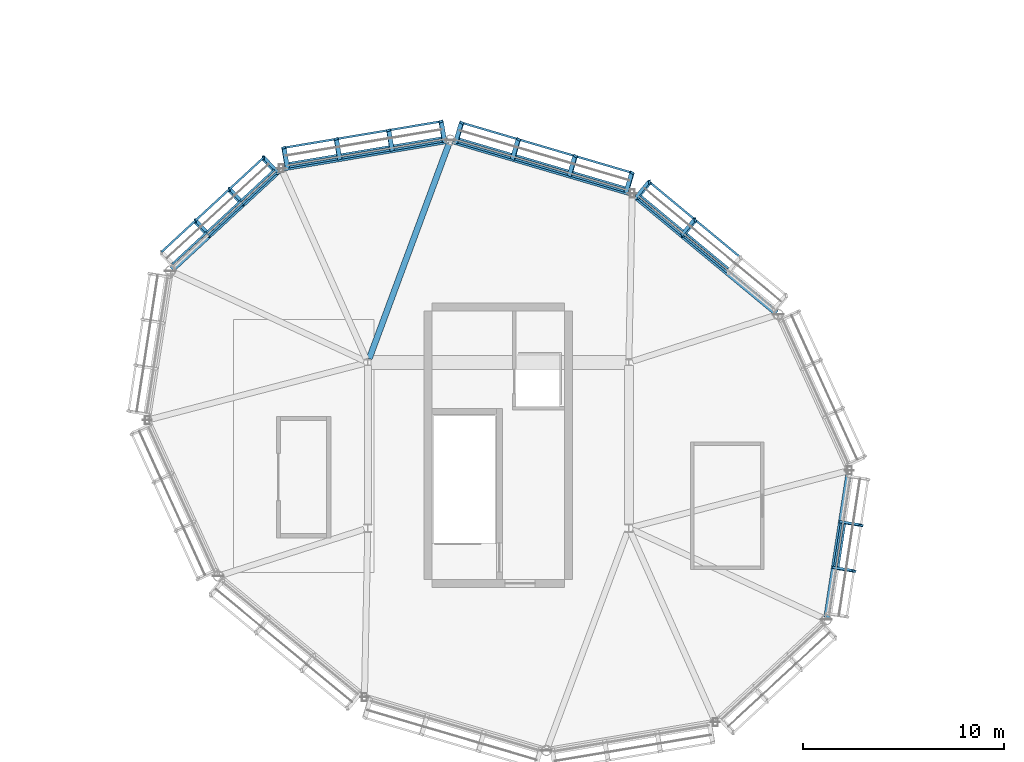
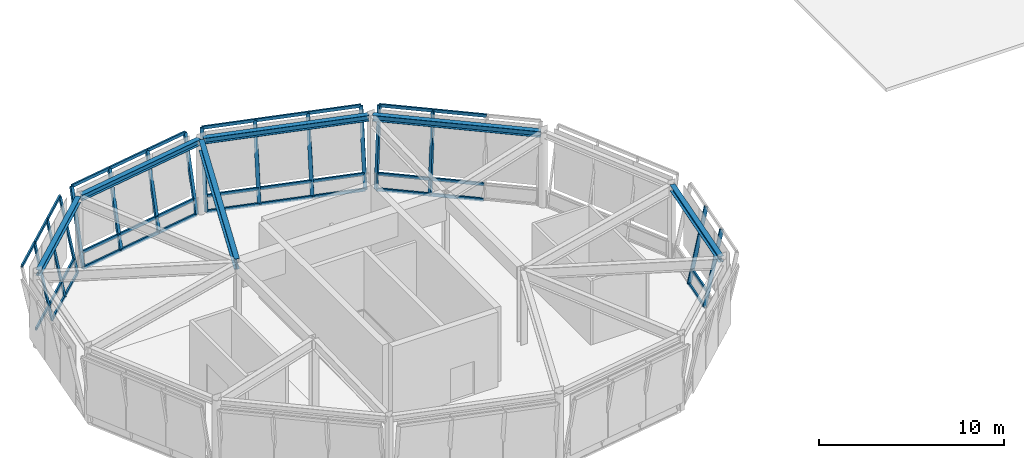
# One storey, part 56 of 113: 49 members, 6 beams, 5 elements without a shape of their own.
"""IFC4 building model written with IfcOpenShell, lengths in metres."""

import ifcopenshell
import ifcopenshell.guid

model = None  # the IFC model being written
_history = None  # IfcOwnerHistory: only IFC2X3 demands one
_inside = {}  # id of a spatial element -> (the spatial element, [elements in it])
_under = {}  # id of a project, library or spatial element -> (it, [spatial elements below it])
_declared = {}  # id of a project -> (the project, [libraries it declares])
_typed = {}  # id of a type object -> (the type object, [elements of that type])
_made_of = {}  # id of a material, layer set ... -> (it, [elements and type objects made of it])


def new_model(schema):
    """Start an empty IFC model of exactly this schema.

    Asked for "IFC4X3", IfcOpenShell would pick the latest addendum, in which some entities
    have other attributes; the version numbers below select the first issue.
    IFC2X3 requires an IfcOwnerHistory on every rooted entity: one is made here for all.
    """
    global model, _history
    if schema == "IFC4X3":
        model = ifcopenshell.file(schema_version=(4, 3, 0, 0))
    else:
        model = ifcopenshell.file(schema=schema)
    _inside.clear()
    _under.clear()
    _declared.clear()
    _typed.clear()
    _made_of.clear()
    _history = None
    if model.schema == "IFC2X3":
        org = make("IfcOrganization", Name="unknown")
        user = make(
            "IfcPersonAndOrganization",
            ThePerson=make("IfcPerson", FamilyName="unknown"),
            TheOrganization=org,
        )
        app = make(
            "IfcApplication",
            ApplicationDeveloper=org,
            Version="unknown",
            ApplicationFullName="unknown",
            ApplicationIdentifier="unknown",
        )
        _history = make(
            "IfcOwnerHistory",
            OwningUser=user,
            OwningApplication=app,
            ChangeAction="ADDED",
            CreationDate=0,
        )
    return model


def make(cls, **values):
    """One entity of the class cls with the attributes given. An attribute that is None is left unset."""
    return model.create_entity(
        cls, **{name: value for name, value in values.items() if value is not None}
    )


def rooted(cls, **values):
    """An entity with a GlobalId (a new one), such as an element, a storey or a relation."""
    return make(cls, GlobalId=ifcopenshell.guid.new(), OwnerHistory=_history, **values)


def si_unit(unit_type, name, prefix=None):
    """IfcSIUnit, for example si_unit("LENGTHUNIT", "METRE", prefix="MILLI")."""
    return make("IfcSIUnit", UnitType=unit_type, Prefix=prefix, Name=name)


def assignment(units):
    """IfcUnitAssignment: the units of a project."""
    return None if units is None else make("IfcUnitAssignment", Units=units)


def point(xyz):
    """IfcCartesianPoint."""
    return None if xyz is None else make("IfcCartesianPoint", Coordinates=xyz)


def direction(xyz):
    """IfcDirection."""
    return None if xyz is None else make("IfcDirection", DirectionRatios=xyz)


def frame(location, z_axis=None, x_axis=None):
    """IfcAxis2Placement3D, a coordinate frame: its origin and axes. An axis left out is left unset."""
    return make(
        "IfcAxis2Placement3D",
        Location=point(location),
        Axis=direction(z_axis),
        RefDirection=direction(x_axis),
    )


def frame_2d(location, x_axis=None):
    """IfcAxis2Placement2D, a coordinate frame in the plane: its origin and x axis."""
    return make(
        "IfcAxis2Placement2D", Location=point(location), RefDirection=direction(x_axis)
    )


def origin():
    """The frame at (0, 0, 0) with its axes left unset."""
    return frame((0.0, 0.0, 0.0))


def origin_2d():
    """The frame at (0, 0) in the plane with its x axis left unset."""
    return frame_2d((0.0, 0.0))


def place(relative_to, where):
    """IfcLocalPlacement: puts the frame where relative to a parent placement (None: the world)."""
    return make(
        "IfcLocalPlacement", PlacementRelTo=relative_to, RelativePlacement=where
    )


def context(
    kind, dimensions, precision=None, world=None, true_north=None, identifier=None
):
    """IfcGeometricRepresentationContext, for example the 3D "Model" context."""
    return make(
        "IfcGeometricRepresentationContext",
        ContextIdentifier=identifier,
        ContextType=kind,
        CoordinateSpaceDimension=dimensions,
        Precision=precision,
        WorldCoordinateSystem=world,
        TrueNorth=true_north,
    )


def subcontext(parent, identifier, kind, view, scale=None):
    """IfcGeometricRepresentationSubContext, for example "Body" below "Model"."""
    return make(
        "IfcGeometricRepresentationSubContext",
        ContextIdentifier=identifier,
        ContextType=kind,
        ParentContext=parent,
        TargetScale=scale,
        TargetView=view,
    )


def project(units=None, contexts=None):
    """IfcProject with its units and contexts."""
    return rooted(
        "IfcProject",
        Name="project",
        RepresentationContexts=contexts,
        UnitsInContext=assignment(units),
    )


def spatial(cls, under=None, at=None, **own):
    """A site, building, storey or space (cls), placed at a placement, below another one or the project."""
    s = rooted(cls, ObjectPlacement=at, **own)
    if under is not None:
        _under.setdefault(under.id(), (under, []))[1].append(s)
    return s


def profile(cls, at=None, kind="AREA", **sizes):
    """A parametric profile (cls). Its sizes go by their IFC names, for example OverallWidth=200.0."""
    return make(cls, ProfileType=kind, Position=at, **sizes)


def hollow_rectangle(**sizes):
    """IfcRectangleHollowProfileDef."""
    return profile("IfcRectangleHollowProfileDef", **sizes)


def i_section(**sizes):
    """IfcIShapeProfileDef."""
    return profile("IfcIShapeProfileDef", **sizes)


def extrude(swept, where, along, depth):
    """IfcExtrudedAreaSolid: the profile swept, set in the frame where, extruded along a direction by depth."""
    return make(
        "IfcExtrudedAreaSolid",
        SweptArea=swept,
        Position=where,
        ExtrudedDirection=direction(along),
        Depth=depth,
    )


def shape(context_of_items, identifier, shape_type, items):
    """IfcShapeRepresentation: the items that make up one representation, for example the "Body"."""
    return make(
        "IfcShapeRepresentation",
        ContextOfItems=context_of_items,
        RepresentationIdentifier=identifier,
        RepresentationType=shape_type,
        Items=items,
    )


def material(Name=None, Category=None):
    """IfcMaterial."""
    return make("IfcMaterial", Name=Name, Category=Category)


def material_profile(
    of_material, cross_section, Name=None, Category=None, Priority=None
):
    """IfcMaterialProfile: a cross section and its material."""
    return make(
        "IfcMaterialProfile",
        Name=Name,
        Material=of_material,
        Profile=cross_section,
        Priority=Priority,
        Category=Category,
    )


def profile_set(profiles, Name=None, composite=None):
    """IfcMaterialProfileSet."""
    return make(
        "IfcMaterialProfileSet",
        Name=Name,
        MaterialProfiles=profiles,
        CompositeProfile=composite,
    )


def made_of(thing, what):
    """Note that an element or type object is made of a material, layer set ...; save() writes the relation."""
    if what is not None:
        _made_of.setdefault(what.id(), (what, []))[1].append(thing)
    return thing


def type_object(cls, material=None, **own):
    """A type object (cls), such as IfcWallType, which elements share."""
    return made_of(rooted(cls, **own), material)


def element(
    cls,
    number,
    at=None,
    inside=None,
    cuts=None,
    type_object=None,
    material=None,
    context=None,
    identifier="Body",
    shape_type=None,
    held_by="IfcProductDefinitionShape",
    body=None,
    shapes=None,
    **own,
):
    """One element of the class cls, such as IfcWall. Its Tag is "e" and its number.

    at: its placement. inside: the storey or other place that contains it. cuts: it is an
    opening in that element (IfcRelVoidsElement). A single representation is given by context,
    identifier, shape_type and body (its items); several are given by shapes. held_by: the class
    of the entity that holds the representations. save() writes the other relations.
    """
    e = rooted(cls, Tag="e%d" % number, ObjectPlacement=at, **own)
    if body is not None:
        shapes = [shape(context, identifier, shape_type, body)]
    if shapes is not None:
        e.Representation = make(held_by, Representations=shapes)
    if inside is not None:
        _inside.setdefault(inside.id(), (inside, []))[1].append(e)
    if cuts is not None:
        rooted(
            "IfcRelVoidsElement", RelatingBuildingElement=cuts, RelatedOpeningElement=e
        )
    if type_object is not None:
        _typed.setdefault(type_object.id(), (type_object, []))[1].append(e)
    return made_of(e, material)


def aggregate(whole, parts):
    """IfcRelAggregates: a whole, such as a stair, and the parts it consists of."""
    return rooted("IfcRelAggregates", RelatingObject=whole, RelatedObjects=parts)


def save(model, path):
    """Write the relations noted so far, then the file.

    IfcRelAggregates (storeys below a building ...), IfcRelContainedInSpatialStructure (elements
    in a storey), IfcRelDefinesByType, IfcRelAssociatesMaterial and IfcRelDeclares: one each for
    every whole, place, type object, material and project.
    """
    for whole, parts in _under.values():
        aggregate(whole, parts)
    for where, things in _inside.values():
        rooted(
            "IfcRelContainedInSpatialStructure",
            RelatedElements=things,
            RelatingStructure=where,
        )
    for kind, things in _typed.values():
        rooted("IfcRelDefinesByType", RelatedObjects=things, RelatingType=kind)
    for what, things in _made_of.values():
        rooted("IfcRelAssociatesMaterial", RelatedObjects=things, RelatingMaterial=what)
    for by, libraries in _declared.values():
        rooted("IfcRelDeclares", RelatingContext=by, RelatedDefinitions=libraries)
    model.write(path)


model = new_model("IFC4")

# Units and contexts
model_context = context("Model", 3, precision=1e-05, world=origin(), true_north=direction((0.0, 1.0)))
body_context = subcontext(model_context, "Body", "Model", "MODEL_VIEW")
ifc_project = project(units=[si_unit("LENGTHUNIT", "METRE"), si_unit("AREAUNIT", "SQUARE_METRE"), si_unit("VOLUMEUNIT", "CUBIC_METRE"), si_unit("PLANEANGLEUNIT", "RADIAN"), si_unit("MASSUNIT", "GRAM", prefix="KILO")], contexts=[model_context])

# Site, building, storey
site_placement = place(None, origin())
site = spatial("IfcSite", under=ifc_project, at=site_placement, CompositionType="ELEMENT")
building_placement = place(site_placement, origin())
building = spatial("IfcBuilding", under=site, at=building_placement, Name="Linyun Crest Stadium", CompositionType="ELEMENT")
storey_placement = place(building_placement, frame((0.0, 0.0, 26.39990234375)))
storey = spatial("IfcBuildingStorey", under=building, at=storey_placement, Name="L06", CompositionType="ELEMENT", Elevation=26.39990234375)

# Beams
ifc_material_1 = material(Name="Steel Q355C", Category="steel")
ifc_material_profile_1 = material_profile(ifc_material_1, i_section(OverallWidth=0.300048828125, OverallDepth=0.389892578125, WebThickness=0.010009765625, FlangeThickness=0.01611328125, at=origin_2d()), Name="HM 390x300")
ifc_profile_set_1 = profile_set([ifc_material_profile_1], Name="Steel Q355C")
beam_type_1 = type_object("IfcBeamType", Name="B06", PredefinedType="BEAM", material=ifc_profile_set_1)
beam_1_placement = place(storey_placement, frame((-57.14697265625, 76.05908203125, 4.75), z_axis=(0.152213453027, 0.988347643655, 0.0), x_axis=(-0.988347643655, 0.152213453027, 0.0)))
element("IfcBeam", 1, at=beam_1_placement, inside=storey, type_object=beam_type_1, Name="Pod ring girder B06 L06 73", PredefinedType="BEAM", context=body_context, shape_type="SweptSolid", body=[
    extrude(i_section(OverallWidth=0.300048828125, OverallDepth=0.389892578125, WebThickness=0.010009765625, FlangeThickness=0.01611328125, at=origin_2d()), origin(), (0.0, 0.0, 1.0), 7.278564453125),
])
beam_2_placement = place(storey_placement, frame((-59.65087890625, 91.217041015625, 4.75), z_axis=(-0.770371409823, 0.637595397512, 0.0), x_axis=(-0.637595397512, -0.770371409823, 0.0)))
element("IfcBeam", 2, at=beam_2_placement, inside=storey, type_object=beam_type_1, Name="Pod ring girder B06 L06 77", PredefinedType="BEAM", context=body_context, shape_type="SweptSolid", body=[
    extrude(i_section(OverallWidth=0.300048828125, OverallDepth=0.389892578125, WebThickness=0.010009765625, FlangeThickness=0.01611328125, at=origin_2d()), origin(), (0.0, 0.0, 1.0), 9.204833984375),
])
beam_3_placement = place(storey_placement, frame((-66.948974609375, 97.197021484375, 4.75), z_axis=(-0.959427571735, 0.281955199623, 0.0), x_axis=(-0.281955199623, -0.959427571735, 0.0)))
element("IfcBeam", 3, at=beam_3_placement, inside=storey, type_object=beam_type_1, Name="Pod ring girder B06 L06 79", PredefinedType="BEAM", context=body_context, shape_type="SweptSolid", body=[
    extrude(i_section(OverallWidth=0.300048828125, OverallDepth=0.389892578125, WebThickness=0.010009765625, FlangeThickness=0.01611328125, at=origin_2d()), origin(), (0.0, 0.0, 1.0), 9.203369140625),
])
beam_4_placement = place(storey_placement, frame((-76.011962890625, 99.805908203125, 4.75), z_axis=(-0.986275969976, -0.165105151487, 0.0), x_axis=(0.165105151487, -0.986275969976, 0.0)))
element("IfcBeam", 4, at=beam_4_placement, inside=storey, type_object=beam_type_1, Name="Pod ring girder B06 L06 81", PredefinedType="BEAM", context=body_context, shape_type="SweptSolid", body=[
    extrude(i_section(OverallWidth=0.300048828125, OverallDepth=0.389892578125, WebThickness=0.010009765625, FlangeThickness=0.01611328125, at=origin_2d()), origin(), (0.0, 0.0, 1.0), 8.296875),
])
beam_5_placement = place(storey_placement, frame((-84.40087890625, 98.3349609375, 4.75), z_axis=(-0.734193861678, -0.678939889441, 0.0), x_axis=(0.678939889441, -0.734193861678, 0.0)))
element("IfcBeam", 5, at=beam_5_placement, inside=storey, type_object=beam_type_1, Name="Pod ring girder B06 L06 83", PredefinedType="BEAM", context=body_context, shape_type="SweptSolid", body=[
    extrude(i_section(OverallWidth=0.300048828125, OverallDepth=0.389892578125, WebThickness=0.010009765625, FlangeThickness=0.01611328125, at=origin_2d()), origin(), (0.0, 0.0, 1.0), 7.28173828125),
])
ifc_material_2 = material(Name="Steel Q355C", Category="steel")
ifc_material_profile_2 = material_profile(ifc_material_2, i_section(OverallWidth=0.300048828125, OverallDepth=0.699951171875, WebThickness=0.012939453125, FlangeThickness=0.02392578125, at=origin_2d()), Name="HN 700x300")
ifc_profile_set_2 = profile_set([ifc_material_profile_2], Name="Steel Q355C")
beam_type_2 = type_object("IfcBeamType", Name="B12", PredefinedType="BEAM", material=ifc_profile_set_2)
beam_6_placement = place(storey_placement, frame((-79.929931640625, 88.93798828125, 4.59521484375), z_axis=(0.347593524127, 0.937645317796, 0.0), x_axis=(-0.937645317796, 0.347593524127, 0.0)))
element("IfcBeam", 6, at=beam_6_placement, inside=storey, type_object=beam_type_2, Name="Pod radial tie girder B12 L06 82", PredefinedType="BEAM", context=body_context, shape_type="SweptSolid", body=[
    extrude(i_section(OverallWidth=0.300048828125, OverallDepth=0.699951171875, WebThickness=0.012939453125, FlangeThickness=0.02392578125, at=origin_2d()), origin(), (0.0, 0.0, 1.0), 11.392578125),
])

# Curtain wall, members
ifc_material_3 = material(Name="Verdigris steel and low-E curtain wall assembly", Category="steel")
curtain_wall_type = type_object("IfcCurtainWallType", Name="MCW04", PredefinedType="NOTDEFINED", material=ifc_material_3)
curtain_wall_1_placement = place(storey_placement, origin())
curtain_wall_1 = element("IfcCurtainWall", 7, at=curtain_wall_1_placement, inside=storey, type_object=curtain_wall_type, Name="CWR-025", PredefinedType="NOTDEFINED")
ifc_material_4 = material(Name="Verdigris painted steel Q355C pod mullion", Category="steel")
ifc_material_profile_3 = material_profile(ifc_material_4, hollow_rectangle(XDim=0.1201171875, YDim=0.219970703125, WallThickness=0.008056640625, at=origin_2d()), Name="RHS 220x120x8")
ifc_profile_set_3 = profile_set([ifc_material_profile_3], Name="Verdigris painted steel Q355C pod mullion")
member_type_1 = type_object("IfcMemberType", Name="ML04", PredefinedType="MULLION", material=ifc_profile_set_3)
member_1_placement = place(storey_placement, frame((-56.76806640625, 78.51611328125, 0.0), z_axis=(0.197001194284, -0.030273796723, 0.979935725792), x_axis=(-0.297463905344, -0.954251489613, 0.030320283472)))
member_1 = element("IfcMember", 8, at=member_1_placement, type_object=member_type_1, Name="CWR-025 mullion 2", PredefinedType="MULLION", context=body_context, shape_type="SweptSolid", body=[
    extrude(hollow_rectangle(XDim=0.1201171875, YDim=0.219970703125, WallThickness=0.008056640625, at=origin_2d()), origin(), (0.0, 0.0, 1.0), 4.959716796875),
])
member_2_placement = place(storey_placement, frame((-56.41796875, 80.7958984375, 0.0), z_axis=(0.197189560657, -0.030420156886, 0.97989330604), x_axis=(-0.298012512631, -0.954079293793, 0.030351992869)))
member_2 = element("IfcMember", 9, at=member_2_placement, type_object=member_type_1, Name="CWR-025 mullion 3", PredefinedType="MULLION", context=body_context, shape_type="SweptSolid", body=[
    extrude(hollow_rectangle(XDim=0.1201171875, YDim=0.219970703125, WallThickness=0.008056640625, at=origin_2d()), origin(), (0.0, 0.0, 1.0), 4.959716796875),
])

curtain_wall_2_placement = place(storey_placement, origin())
curtain_wall_2 = element("IfcCurtainWall", 10, at=curtain_wall_2_placement, inside=storey, type_object=curtain_wall_type, Name="CWR-027", PredefinedType="NOTDEFINED")
member_3_placement = place(storey_placement, frame((-64.33203125, 95.092041015625, 0.0), z_axis=(0.127247829487, 0.153435777374, 0.979931350714), x_axis=(0.972711180682, 0.173944112656, -0.153546099423)))
member_3 = element("IfcMember", 11, at=member_3_placement, type_object=member_type_1, Name="CWR-027 mullion 3", PredefinedType="MULLION", context=body_context, shape_type="SweptSolid", body=[
    extrude(hollow_rectangle(XDim=0.1201171875, YDim=0.219970703125, WallThickness=0.008056640625, at=origin_2d()), origin(), (0.0, 0.0, 1.0), 4.959716796875),
])
member_4_placement = place(storey_placement, frame((-66.60302734375, 96.971923828125, 0.0), z_axis=(0.12724398281, 0.153628034951, 0.979901727581), x_axis=(0.972586832037, 0.174539399185, -0.153658232063)))
member_4 = element("IfcMember", 12, at=member_4_placement, type_object=member_type_1, Name="CWR-027 mullion 4", PredefinedType="MULLION", context=body_context, shape_type="SweptSolid", body=[
    extrude(hollow_rectangle(XDim=0.1201171875, YDim=0.219970703125, WallThickness=0.008056640625, at=origin_2d()), origin(), (0.0, 0.0, 1.0), 4.959716796875),
])

curtain_wall_3_placement = place(storey_placement, origin())
curtain_wall_3 = element("IfcCurtainWall", 13, at=curtain_wall_3_placement, inside=storey, type_object=curtain_wall_type, Name="CWR-028", PredefinedType="NOTDEFINED")
member_5_placement = place(storey_placement, frame((-67.1220703125, 97.248046875, 0.0), z_axis=(0.056263528028, 0.191335374841, 0.979910807037), x_axis=(0.535777028127, 0.822393680307, -0.1913416074)))
member_5 = element("IfcMember", 14, at=member_5_placement, type_object=member_type_1, Name="CWR-028 mullion 1", PredefinedType="MULLION", context=body_context, shape_type="SweptSolid", body=[
    extrude(hollow_rectangle(XDim=0.1201171875, YDim=0.219970703125, WallThickness=0.008056640625, at=origin_2d()), origin(), (0.0, 0.0, 1.0), 4.959716796875),
])
member_6_placement = place(storey_placement, frame((-69.949951171875, 98.0791015625, 0.0), z_axis=(0.056263528028, 0.191335374841, 0.979910807037), x_axis=(0.535777028127, 0.822393680307, -0.1913416074)))
member_6 = element("IfcMember", 15, at=member_6_placement, type_object=member_type_1, Name="CWR-028 mullion 2", PredefinedType="MULLION", context=body_context, shape_type="SweptSolid", body=[
    extrude(hollow_rectangle(XDim=0.1201171875, YDim=0.219970703125, WallThickness=0.008056640625, at=origin_2d()), origin(), (0.0, 0.0, 1.0), 4.959716796875),
])
member_7_placement = place(storey_placement, frame((-72.778076171875, 98.909912109375, 0.0), z_axis=(0.056263528028, 0.191335374841, 0.979910807037), x_axis=(0.535777028127, 0.822393680307, -0.1913416074)))
member_7 = element("IfcMember", 16, at=member_7_placement, type_object=member_type_1, Name="CWR-028 mullion 3", PredefinedType="MULLION", context=body_context, shape_type="SweptSolid", body=[
    extrude(hollow_rectangle(XDim=0.1201171875, YDim=0.219970703125, WallThickness=0.008056640625, at=origin_2d()), origin(), (0.0, 0.0, 1.0), 4.959716796875),
])
member_8_placement = place(storey_placement, frame((-75.60595703125, 99.740966796875, 0.0), z_axis=(0.056263528028, 0.191335374841, 0.979910807037), x_axis=(0.535777028127, 0.822393680307, -0.1913416074)))
member_8 = element("IfcMember", 17, at=member_8_placement, type_object=member_type_1, Name="CWR-028 mullion 4", PredefinedType="MULLION", context=body_context, shape_type="SweptSolid", body=[
    extrude(hollow_rectangle(XDim=0.1201171875, YDim=0.219970703125, WallThickness=0.008056640625, at=origin_2d()), origin(), (0.0, 0.0, 1.0), 4.959716796875),
])

curtain_wall_4_placement = place(storey_placement, origin())
curtain_wall_4 = element("IfcCurtainWall", 18, at=curtain_wall_4_placement, inside=storey, type_object=curtain_wall_type, Name="CWR-029", PredefinedType="NOTDEFINED")
member_9_placement = place(storey_placement, frame((-76.18994140625, 99.77587890625, 0.0), z_axis=(-0.032882597472, 0.196606428596, 0.979930939923), x_axis=(-0.322218598261, 0.926024967951, -0.196603493527)))
member_9 = element("IfcMember", 19, at=member_9_placement, type_object=member_type_1, Name="CWR-029 mullion 1", PredefinedType="MULLION", context=body_context, shape_type="SweptSolid", body=[
    extrude(hollow_rectangle(XDim=0.1201171875, YDim=0.219970703125, WallThickness=0.008056640625, at=origin_2d()), origin(), (0.0, 0.0, 1.0), 4.959716796875),
])
member_10_placement = place(storey_placement, frame((-78.799072265625, 99.339111328125, 0.0), z_axis=(-0.032832471524, 0.196748708666, 0.979904063902), x_axis=(-0.321875734565, 0.926116536999, -0.19673375764)))
member_10 = element("IfcMember", 20, at=member_10_placement, type_object=member_type_1, Name="CWR-029 mullion 2", PredefinedType="MULLION", context=body_context, shape_type="SweptSolid", body=[
    extrude(hollow_rectangle(XDim=0.1201171875, YDim=0.219970703125, WallThickness=0.008056640625, at=origin_2d()), origin(), (0.0, 0.0, 1.0), 4.959716796875),
])
member_11_placement = place(storey_placement, frame((-81.407958984375, 98.903076171875, 0.0), z_axis=(-0.032882915676, 0.196559105228, 0.979940422683), x_axis=(-0.322257872958, 0.926021062596, -0.196557510528)))
member_11 = element("IfcMember", 21, at=member_11_placement, type_object=member_type_1, Name="CWR-029 mullion 3", PredefinedType="MULLION", context=body_context, shape_type="SweptSolid", body=[
    extrude(hollow_rectangle(XDim=0.1201171875, YDim=0.219970703125, WallThickness=0.008056640625, at=origin_2d()), origin(), (0.0, 0.0, 1.0), 4.959716796875),
])
member_12_placement = place(storey_placement, frame((-84.01708984375, 98.466064453125, 0.0), z_axis=(-0.032833742862, 0.196559423159, 0.979942007721), x_axis=(-0.322032514428, 0.926101088743, -0.196549823403)))
member_12 = element("IfcMember", 22, at=member_12_placement, type_object=member_type_1, Name="CWR-029 mullion 4", PredefinedType="MULLION", context=body_context, shape_type="SweptSolid", body=[
    extrude(hollow_rectangle(XDim=0.1201171875, YDim=0.219970703125, WallThickness=0.008056640625, at=origin_2d()), origin(), (0.0, 0.0, 1.0), 4.95947265625),
])

curtain_wall_5_placement = place(storey_placement, origin())
curtain_wall_5 = element("IfcCurtainWall", 23, at=curtain_wall_5_placement, inside=storey, type_object=curtain_wall_type, Name="CWR-030", PredefinedType="NOTDEFINED")
member_13_placement = place(storey_placement, frame((-84.532958984375, 98.2119140625, 0.0), z_axis=(-0.135320188959, 0.146395868303, 0.979926883091), x_axis=(-0.986910030281, 0.067659651153, -0.146392498909)))
member_13 = element("IfcMember", 24, at=member_13_placement, type_object=member_type_1, Name="CWR-030 mullion 1", PredefinedType="MULLION", context=body_context, shape_type="SweptSolid", body=[
    extrude(hollow_rectangle(XDim=0.1201171875, YDim=0.219970703125, WallThickness=0.008056640625, at=origin_2d()), origin(), (0.0, 0.0, 1.0), 4.959716796875),
])
member_14_placement = place(storey_placement, frame((-86.22705078125, 96.64599609375, 0.0), z_axis=(-0.135271864626, 0.146396843303, 0.979933409427), x_axis=(-0.986900996133, 0.06784214931, -0.146368940042)))
member_14 = element("IfcMember", 25, at=member_14_placement, type_object=member_type_1, Name="CWR-030 mullion 2", PredefinedType="MULLION", context=body_context, shape_type="SweptSolid", body=[
    extrude(hollow_rectangle(XDim=0.1201171875, YDim=0.219970703125, WallThickness=0.008056640625, at=origin_2d()), origin(), (0.0, 0.0, 1.0), 4.959716796875),
])
member_15_placement = place(storey_placement, frame((-87.9208984375, 95.080078125, 0.0), z_axis=(-0.135321163974, 0.146347697524, 0.979933943697), x_axis=(-0.986924878518, 0.067498016121, -0.146367011251)))
member_15 = element("IfcMember", 26, at=member_15_placement, type_object=member_type_1, Name="CWR-030 mullion 3", PredefinedType="MULLION", context=body_context, shape_type="SweptSolid", body=[
    extrude(hollow_rectangle(XDim=0.1201171875, YDim=0.219970703125, WallThickness=0.008056640625, at=origin_2d()), origin(), (0.0, 0.0, 1.0), 4.959716796875),
])

# Member
ifc_material_5 = material(Name="Verdigris painted steel Q355C transom", Category="steel")
ifc_material_profile_4 = material_profile(ifc_material_5, hollow_rectangle(XDim=0.10009765625, YDim=0.199951171875, WallThickness=0.008056640625, at=origin_2d()), Name="RHS 200x100x8")
ifc_profile_set_4 = profile_set([ifc_material_profile_4], Name="Verdigris painted steel Q355C transom")
member_type_2 = type_object("IfcMemberType", Name="TR03", PredefinedType="USERDEFINED", material=ifc_profile_set_4)
member_16_placement = place(storey_placement, frame((-56.76806640625, 78.51611328125, 0.0), z_axis=(0.15178674483, 0.988413265843, 0.0), x_axis=(-0.988413265843, 0.15178674483, 0.0)))
member_16 = element("IfcMember", 27, at=member_16_placement, type_object=member_type_2, Name="CWR-025 transom 2.1", ObjectType="TRANSOM", PredefinedType="USERDEFINED", context=body_context, shape_type="SweptSolid", body=[
    extrude(hollow_rectangle(XDim=0.10009765625, YDim=0.199951171875, WallThickness=0.008056640625, at=origin_2d()), origin(), (0.0, 0.0, 1.0), 2.306396484375),
])

member_17_placement = place(storey_placement, frame((-56.5869140625, 78.488037109375, 0.900146484375), z_axis=(0.151667464216, 0.988431575931, 0.0), x_axis=(-0.988431575931, 0.151667464216, 0.0)))
member_17 = element("IfcMember", 28, at=member_17_placement, type_object=member_type_2, Name="CWR-025 transom 2.2", ObjectType="TRANSOM", PredefinedType="USERDEFINED", context=body_context, shape_type="SweptSolid", body=[
    extrude(hollow_rectangle(XDim=0.10009765625, YDim=0.199951171875, WallThickness=0.008056640625, at=origin_2d()), origin(), (0.0, 0.0, 1.0), 2.306640625),
])

aggregate(curtain_wall_1, [member_1, member_2, member_16, member_17])

member_18_placement = place(storey_placement, frame((-62.06103515625, 93.2109375, 0.0), z_axis=(-0.770118007544, 0.637901445724, 0.0), x_axis=(-0.637901445724, -0.770118007544, 0.0)))
member_18 = element("IfcMember", 29, at=member_18_placement, type_object=member_type_2, Name="CWR-027 transom 2.1", ObjectType="TRANSOM", PredefinedType="USERDEFINED", context=body_context, shape_type="SweptSolid", body=[
    extrude(hollow_rectangle(XDim=0.10009765625, YDim=0.199951171875, WallThickness=0.008056640625, at=origin_2d()), origin(), (0.0, 0.0, 1.0), 2.948974609375),
])

member_19_placement = place(storey_placement, frame((-61.944091796875, 93.35205078125, 0.900146484375), z_axis=(-0.770158679778, 0.63785234025, 0.0), x_axis=(-0.63785234025, -0.770158679778, 0.0)))
member_19 = element("IfcMember", 30, at=member_19_placement, type_object=member_type_2, Name="CWR-027 transom 2.2", ObjectType="TRANSOM", PredefinedType="USERDEFINED", context=body_context, shape_type="SweptSolid", body=[
    extrude(hollow_rectangle(XDim=0.10009765625, YDim=0.199951171875, WallThickness=0.008056640625, at=origin_2d()), origin(), (0.0, 0.0, 1.0), 2.94873046875),
])

member_20_placement = place(storey_placement, frame((-61.429931640625, 93.972900390625, 4.860107421875), z_axis=(-0.770280703464, 0.637704977142, 0.0), x_axis=(-0.637704977142, -0.770280703464, 0.0)))
member_20 = element("IfcMember", 31, at=member_20_placement, type_object=member_type_2, Name="CWR-027 transom 2.3", ObjectType="TRANSOM", PredefinedType="USERDEFINED", context=body_context, shape_type="SweptSolid", body=[
    extrude(hollow_rectangle(XDim=0.10009765625, YDim=0.199951171875, WallThickness=0.008056640625, at=origin_2d()), origin(), (0.0, 0.0, 1.0), 2.9482421875),
])

member_21_placement = place(storey_placement, frame((-64.33203125, 95.092041015625, 0.0), z_axis=(-0.770321380351, 0.63765584054, 0.0), x_axis=(-0.63765584054, -0.770321380351, 0.0)))
member_21 = element("IfcMember", 32, at=member_21_placement, type_object=member_type_2, Name="CWR-027 transom 3.1", ObjectType="TRANSOM", PredefinedType="USERDEFINED", context=body_context, shape_type="SweptSolid", body=[
    extrude(hollow_rectangle(XDim=0.10009765625, YDim=0.199951171875, WallThickness=0.008056640625, at=origin_2d()), origin(), (0.0, 0.0, 1.0), 2.947998046875),
])

member_22_placement = place(storey_placement, frame((-64.215087890625, 95.23291015625, 0.900146484375), z_axis=(-0.770280703464, 0.637704977142, 0.0), x_axis=(-0.637704977142, -0.770280703464, 0.0)))
member_22 = element("IfcMember", 33, at=member_22_placement, type_object=member_type_2, Name="CWR-027 transom 3.2", ObjectType="TRANSOM", PredefinedType="USERDEFINED", context=body_context, shape_type="SweptSolid", body=[
    extrude(hollow_rectangle(XDim=0.10009765625, YDim=0.199951171875, WallThickness=0.008056640625, at=origin_2d()), origin(), (0.0, 0.0, 1.0), 2.9482421875),
])

member_23_placement = place(storey_placement, frame((-63.700927734375, 95.85302734375, 4.860107421875), z_axis=(-0.770158679778, 0.63785234025, 0.0), x_axis=(-0.63785234025, -0.770158679778, 0.0)))
member_23 = element("IfcMember", 34, at=member_23_placement, type_object=member_type_2, Name="CWR-027 transom 3.3", ObjectType="TRANSOM", PredefinedType="USERDEFINED", context=body_context, shape_type="SweptSolid", body=[
    extrude(hollow_rectangle(XDim=0.10009765625, YDim=0.199951171875, WallThickness=0.008056640625, at=origin_2d()), origin(), (0.0, 0.0, 1.0), 2.94873046875),
])

aggregate(curtain_wall_2, [member_3, member_4, member_18, member_19, member_20, member_21, member_22, member_23])

member_24_placement = place(storey_placement, frame((-67.1220703125, 97.248046875, 0.0), z_axis=(-0.959427469513, 0.28195554746, 0.0), x_axis=(-0.28195554746, -0.959427469513, 0.0)))
member_24 = element("IfcMember", 35, at=member_24_placement, type_object=member_type_2, Name="CWR-028 transom 1.1", ObjectType="TRANSOM", PredefinedType="USERDEFINED", context=body_context, shape_type="SweptSolid", body=[
    extrude(hollow_rectangle(XDim=0.10009765625, YDim=0.199951171875, WallThickness=0.008056640625, at=origin_2d()), origin(), (0.0, 0.0, 1.0), 2.947509765625),
])

member_25_placement = place(storey_placement, frame((-67.070068359375, 97.424072265625, 0.900146484375), z_axis=(-0.959449874016, 0.281879299083, 0.0), x_axis=(-0.281879299083, -0.959449874016, 0.0)))
member_25 = element("IfcMember", 36, at=member_25_placement, type_object=member_type_2, Name="CWR-028 transom 1.2", ObjectType="TRANSOM", PredefinedType="USERDEFINED", context=body_context, shape_type="SweptSolid", body=[
    extrude(hollow_rectangle(XDim=0.10009765625, YDim=0.199951171875, WallThickness=0.008056640625, at=origin_2d()), origin(), (0.0, 0.0, 1.0), 2.947509765625),
])

member_26_placement = place(storey_placement, frame((-66.843017578125, 98.197021484375, 4.860107421875), z_axis=(-0.959427469513, 0.28195554746, 0.0), x_axis=(-0.28195554746, -0.959427469513, 0.0)))
member_26 = element("IfcMember", 37, at=member_26_placement, type_object=member_type_2, Name="CWR-028 transom 1.3", ObjectType="TRANSOM", PredefinedType="USERDEFINED", context=body_context, shape_type="SweptSolid", body=[
    extrude(hollow_rectangle(XDim=0.10009765625, YDim=0.199951171875, WallThickness=0.008056640625, at=origin_2d()), origin(), (0.0, 0.0, 1.0), 2.947509765625),
])

member_27_placement = place(storey_placement, frame((-69.949951171875, 98.0791015625, 0.0), z_axis=(-0.959456454772, 0.281856898791, 0.0), x_axis=(-0.281856898791, -0.959456454772, 0.0)))
member_27 = element("IfcMember", 38, at=member_27_placement, type_object=member_type_2, Name="CWR-028 transom 2.1", ObjectType="TRANSOM", PredefinedType="USERDEFINED", context=body_context, shape_type="SweptSolid", body=[
    extrude(hollow_rectangle(XDim=0.10009765625, YDim=0.199951171875, WallThickness=0.008056640625, at=origin_2d()), origin(), (0.0, 0.0, 1.0), 2.94775390625),
])

member_28_placement = place(storey_placement, frame((-69.89794921875, 98.2548828125, 0.900146484375), z_axis=(-0.959434053677, 0.281933142154, 0.0), x_axis=(-0.281933142154, -0.959434053677, 0.0)))
member_28 = element("IfcMember", 39, at=member_28_placement, type_object=member_type_2, Name="CWR-028 transom 2.2", ObjectType="TRANSOM", PredefinedType="USERDEFINED", context=body_context, shape_type="SweptSolid", body=[
    extrude(hollow_rectangle(XDim=0.10009765625, YDim=0.199951171875, WallThickness=0.008056640625, at=origin_2d()), origin(), (0.0, 0.0, 1.0), 2.94775390625),
])

member_29_placement = place(storey_placement, frame((-69.6708984375, 99.028076171875, 4.860107421875), z_axis=(-0.959456454772, 0.281856898791, 0.0), x_axis=(-0.281856898791, -0.959456454772, 0.0)))
member_29 = element("IfcMember", 40, at=member_29_placement, type_object=member_type_2, Name="CWR-028 transom 2.3", ObjectType="TRANSOM", PredefinedType="USERDEFINED", context=body_context, shape_type="SweptSolid", body=[
    extrude(hollow_rectangle(XDim=0.10009765625, YDim=0.199951171875, WallThickness=0.008056640625, at=origin_2d()), origin(), (0.0, 0.0, 1.0), 2.94775390625),
])

member_30_placement = place(storey_placement, frame((-72.778076171875, 98.909912109375, 0.0), z_axis=(-0.959427469513, 0.28195554746, 0.0), x_axis=(-0.28195554746, -0.959427469513, 0.0)))
member_30 = element("IfcMember", 41, at=member_30_placement, type_object=member_type_2, Name="CWR-028 transom 3.1", ObjectType="TRANSOM", PredefinedType="USERDEFINED", context=body_context, shape_type="SweptSolid", body=[
    extrude(hollow_rectangle(XDim=0.10009765625, YDim=0.199951171875, WallThickness=0.008056640625, at=origin_2d()), origin(), (0.0, 0.0, 1.0), 2.947509765625),
])

member_31_placement = place(storey_placement, frame((-72.72607421875, 99.0859375, 0.900146484375), z_axis=(-0.959427469513, 0.28195554746, 0.0), x_axis=(-0.28195554746, -0.959427469513, 0.0)))
member_31 = element("IfcMember", 42, at=member_31_placement, type_object=member_type_2, Name="CWR-028 transom 3.2", ObjectType="TRANSOM", PredefinedType="USERDEFINED", context=body_context, shape_type="SweptSolid", body=[
    extrude(hollow_rectangle(XDim=0.10009765625, YDim=0.199951171875, WallThickness=0.008056640625, at=origin_2d()), origin(), (0.0, 0.0, 1.0), 2.947509765625),
])

member_32_placement = place(storey_placement, frame((-72.4990234375, 99.85888671875, 4.860107421875), z_axis=(-0.959427469513, 0.28195554746, 0.0), x_axis=(-0.28195554746, -0.959427469513, 0.0)))
member_32 = element("IfcMember", 43, at=member_32_placement, type_object=member_type_2, Name="CWR-028 transom 3.3", ObjectType="TRANSOM", PredefinedType="USERDEFINED", context=body_context, shape_type="SweptSolid", body=[
    extrude(hollow_rectangle(XDim=0.10009765625, YDim=0.199951171875, WallThickness=0.008056640625, at=origin_2d()), origin(), (0.0, 0.0, 1.0), 2.947509765625),
])

aggregate(curtain_wall_3, [member_5, member_6, member_7, member_8, member_24, member_25, member_26, member_27, member_28, member_29, member_30, member_31, member_32])

member_33_placement = place(storey_placement, frame((-76.18994140625, 99.77587890625, 0.0), z_axis=(-0.986276442989, -0.165102325864, 0.0), x_axis=(0.165102325864, -0.986276442989, 0.0)))
member_33 = element("IfcMember", 44, at=member_33_placement, type_object=member_type_2, Name="CWR-029 transom 1.1", ObjectType="TRANSOM", PredefinedType="USERDEFINED", context=body_context, shape_type="SweptSolid", body=[
    extrude(hollow_rectangle(XDim=0.10009765625, YDim=0.199951171875, WallThickness=0.008056640625, at=origin_2d()), origin(), (0.0, 0.0, 1.0), 2.6455078125),
])

member_34_placement = place(storey_placement, frame((-76.219970703125, 99.95703125, 0.900146484375), z_axis=(-0.986261411357, -0.165192095661, 0.0), x_axis=(0.165192095661, -0.986261411357, 0.0)))
member_34 = element("IfcMember", 45, at=member_34_placement, type_object=member_type_2, Name="CWR-029 transom 1.2", ObjectType="TRANSOM", PredefinedType="USERDEFINED", context=body_context, shape_type="SweptSolid", body=[
    extrude(hollow_rectangle(XDim=0.10009765625, YDim=0.199951171875, WallThickness=0.008056640625, at=origin_2d()), origin(), (0.0, 0.0, 1.0), 2.6455078125),
])

member_35_placement = place(storey_placement, frame((-76.35302734375, 100.7509765625, 4.860107421875), z_axis=(-0.986318983701, -0.164847997837, 0.0), x_axis=(0.164847997837, -0.986318983701, 0.0)))
member_35 = element("IfcMember", 46, at=member_35_placement, type_object=member_type_2, Name="CWR-029 transom 1.3", ObjectType="TRANSOM", PredefinedType="USERDEFINED", context=body_context, shape_type="SweptSolid", body=[
    extrude(hollow_rectangle(XDim=0.10009765625, YDim=0.199951171875, WallThickness=0.008056640625, at=origin_2d()), origin(), (0.0, 0.0, 1.0), 2.64501953125),
])

member_36_placement = place(storey_placement, frame((-78.799072265625, 99.339111328125, 0.0), z_axis=(-0.986318983701, -0.164847997837, 0.0), x_axis=(0.164847997837, -0.986318983701, 0.0)))
member_36 = element("IfcMember", 47, at=member_36_placement, type_object=member_type_2, Name="CWR-029 transom 2.1", ObjectType="TRANSOM", PredefinedType="USERDEFINED", context=body_context, shape_type="SweptSolid", body=[
    extrude(hollow_rectangle(XDim=0.10009765625, YDim=0.199951171875, WallThickness=0.008056640625, at=origin_2d()), origin(), (0.0, 0.0, 1.0), 2.64501953125),
])

member_37_placement = place(storey_placement, frame((-78.8291015625, 99.52001953125, 0.900146484375), z_axis=(-0.98625889267, -0.165207132499, 0.0), x_axis=(0.165207132499, -0.98625889267, 0.0)))
member_37 = element("IfcMember", 48, at=member_37_placement, type_object=member_type_2, Name="CWR-029 transom 2.2", ObjectType="TRANSOM", PredefinedType="USERDEFINED", context=body_context, shape_type="SweptSolid", body=[
    extrude(hollow_rectangle(XDim=0.10009765625, YDim=0.199951171875, WallThickness=0.008056640625, at=origin_2d()), origin(), (0.0, 0.0, 1.0), 2.645263671875),
])

member_38_placement = place(storey_placement, frame((-78.9619140625, 100.31494140625, 4.860107421875), z_axis=(-0.986261411357, -0.165192095661, 0.0), x_axis=(0.165192095661, -0.986261411357, 0.0)))
member_38 = element("IfcMember", 49, at=member_38_placement, type_object=member_type_2, Name="CWR-029 transom 2.3", ObjectType="TRANSOM", PredefinedType="USERDEFINED", context=body_context, shape_type="SweptSolid", body=[
    extrude(hollow_rectangle(XDim=0.10009765625, YDim=0.199951171875, WallThickness=0.008056640625, at=origin_2d()), origin(), (0.0, 0.0, 1.0), 2.6455078125),
])

member_39_placement = place(storey_placement, frame((-81.407958984375, 98.903076171875, 0.0), z_axis=(-0.986261411357, -0.165192095661, 0.0), x_axis=(0.165192095661, -0.986261411357, 0.0)))
member_39 = element("IfcMember", 50, at=member_39_placement, type_object=member_type_2, Name="CWR-029 transom 3.1", ObjectType="TRANSOM", PredefinedType="USERDEFINED", context=body_context, shape_type="SweptSolid", body=[
    extrude(hollow_rectangle(XDim=0.10009765625, YDim=0.199951171875, WallThickness=0.008056640625, at=origin_2d()), origin(), (0.0, 0.0, 1.0), 2.6455078125),
])

member_40_placement = place(storey_placement, frame((-81.43798828125, 99.0830078125, 0.900146484375), z_axis=(-0.986321491601, -0.164832991859, 0.0), x_axis=(0.164832991859, -0.986321491601, 0.0)))
member_40 = element("IfcMember", 51, at=member_40_placement, type_object=member_type_2, Name="CWR-029 transom 3.2", ObjectType="TRANSOM", PredefinedType="USERDEFINED", context=body_context, shape_type="SweptSolid", body=[
    extrude(hollow_rectangle(XDim=0.10009765625, YDim=0.199951171875, WallThickness=0.008056640625, at=origin_2d()), origin(), (0.0, 0.0, 1.0), 2.645263671875),
])

member_41_placement = place(storey_placement, frame((-81.571044921875, 99.8779296875, 4.860107421875), z_axis=(-0.98625889267, -0.165207132499, 0.0), x_axis=(0.165207132499, -0.98625889267, 0.0)))
member_41 = element("IfcMember", 52, at=member_41_placement, type_object=member_type_2, Name="CWR-029 transom 3.3", ObjectType="TRANSOM", PredefinedType="USERDEFINED", context=body_context, shape_type="SweptSolid", body=[
    extrude(hollow_rectangle(XDim=0.10009765625, YDim=0.199951171875, WallThickness=0.008056640625, at=origin_2d()), origin(), (0.0, 0.0, 1.0), 2.645263671875),
])

aggregate(curtain_wall_4, [member_9, member_10, member_11, member_12, member_33, member_34, member_35, member_36, member_37, member_38, member_39, member_40, member_41])

member_42_placement = place(storey_placement, frame((-84.532958984375, 98.2119140625, 0.0), z_axis=(-0.734340741023, -0.678781022182, 0.0), x_axis=(0.678781022182, -0.734340741023, 0.0)))
member_42 = element("IfcMember", 53, at=member_42_placement, type_object=member_type_2, Name="CWR-030 transom 1.1", ObjectType="TRANSOM", PredefinedType="USERDEFINED", context=body_context, shape_type="SweptSolid", body=[
    extrude(hollow_rectangle(XDim=0.10009765625, YDim=0.199951171875, WallThickness=0.008056640625, at=origin_2d()), origin(), (0.0, 0.0, 1.0), 2.306884765625),
])

member_43_placement = place(storey_placement, frame((-84.656982421875, 98.345947265625, 0.900146484375), z_axis=(-0.734340741023, -0.678781022182, 0.0), x_axis=(0.678781022182, -0.734340741023, 0.0)))
member_43 = element("IfcMember", 54, at=member_43_placement, type_object=member_type_2, Name="CWR-030 transom 1.2", ObjectType="TRANSOM", PredefinedType="USERDEFINED", context=body_context, shape_type="SweptSolid", body=[
    extrude(hollow_rectangle(XDim=0.10009765625, YDim=0.199951171875, WallThickness=0.008056640625, at=origin_2d()), origin(), (0.0, 0.0, 1.0), 2.306884765625),
])

member_44_placement = place(storey_placement, frame((-85.2041015625, 98.93798828125, 4.860107421875), z_axis=(-0.73429197574, -0.678833775208, 0.0), x_axis=(0.678833775208, -0.73429197574, 0.0)))
member_44 = element("IfcMember", 55, at=member_44_placement, type_object=member_type_2, Name="CWR-030 transom 1.3", ObjectType="TRANSOM", PredefinedType="USERDEFINED", context=body_context, shape_type="SweptSolid", body=[
    extrude(hollow_rectangle(XDim=0.10009765625, YDim=0.199951171875, WallThickness=0.008056640625, at=origin_2d()), origin(), (0.0, 0.0, 1.0), 2.306884765625),
])

member_45_placement = place(storey_placement, frame((-86.22705078125, 96.64599609375, 0.0), z_axis=(-0.73429197574, -0.678833775208, 0.0), x_axis=(0.678833775208, -0.73429197574, 0.0)))
member_45 = element("IfcMember", 56, at=member_45_placement, type_object=member_type_2, Name="CWR-030 transom 2.1", ObjectType="TRANSOM", PredefinedType="USERDEFINED", context=body_context, shape_type="SweptSolid", body=[
    extrude(hollow_rectangle(XDim=0.10009765625, YDim=0.199951171875, WallThickness=0.008056640625, at=origin_2d()), origin(), (0.0, 0.0, 1.0), 2.306884765625),
])

member_46_placement = place(storey_placement, frame((-86.35107421875, 96.780029296875, 0.900146484375), z_axis=(-0.73429197574, -0.678833775208, 0.0), x_axis=(0.678833775208, -0.73429197574, 0.0)))
member_46 = element("IfcMember", 57, at=member_46_placement, type_object=member_type_2, Name="CWR-030 transom 2.2", ObjectType="TRANSOM", PredefinedType="USERDEFINED", context=body_context, shape_type="SweptSolid", body=[
    extrude(hollow_rectangle(XDim=0.10009765625, YDim=0.199951171875, WallThickness=0.008056640625, at=origin_2d()), origin(), (0.0, 0.0, 1.0), 2.306884765625),
])

member_47_placement = place(storey_placement, frame((-86.89794921875, 97.3720703125, 4.860107421875), z_axis=(-0.734287991916, -0.678838084471, 0.0), x_axis=(0.678838084471, -0.734287991916, 0.0)))
member_47 = element("IfcMember", 58, at=member_47_placement, type_object=member_type_2, Name="CWR-030 transom 2.3", ObjectType="TRANSOM", PredefinedType="USERDEFINED", context=body_context, shape_type="SweptSolid", body=[
    extrude(hollow_rectangle(XDim=0.10009765625, YDim=0.199951171875, WallThickness=0.008056640625, at=origin_2d()), origin(), (0.0, 0.0, 1.0), 2.30712890625),
])

member_48_placement = place(storey_placement, frame((-88.044921875, 95.214111328125, 0.900146484375), z_axis=(-0.734287991916, -0.678838084471, 0.0), x_axis=(0.678838084471, -0.734287991916, 0.0)))
member_48 = element("IfcMember", 59, at=member_48_placement, type_object=member_type_2, Name="CWR-030 transom 3.2", ObjectType="TRANSOM", PredefinedType="USERDEFINED", context=body_context, shape_type="SweptSolid", body=[
    extrude(hollow_rectangle(XDim=0.10009765625, YDim=0.199951171875, WallThickness=0.008056640625, at=origin_2d()), origin(), (0.0, 0.0, 1.0), 2.30712890625),
])

member_49_placement = place(storey_placement, frame((-88.592041015625, 95.805908203125, 4.860107421875), z_axis=(-0.73429197574, -0.678833775208, 0.0), x_axis=(0.678833775208, -0.73429197574, 0.0)))
member_49 = element("IfcMember", 60, at=member_49_placement, type_object=member_type_2, Name="CWR-030 transom 3.3", ObjectType="TRANSOM", PredefinedType="USERDEFINED", context=body_context, shape_type="SweptSolid", body=[
    extrude(hollow_rectangle(XDim=0.10009765625, YDim=0.199951171875, WallThickness=0.008056640625, at=origin_2d()), origin(), (0.0, 0.0, 1.0), 2.306884765625),
])

aggregate(curtain_wall_5, [member_13, member_14, member_15, member_42, member_43, member_44, member_45, member_46, member_47, member_48, member_49])

save(model, "model.ifc")
